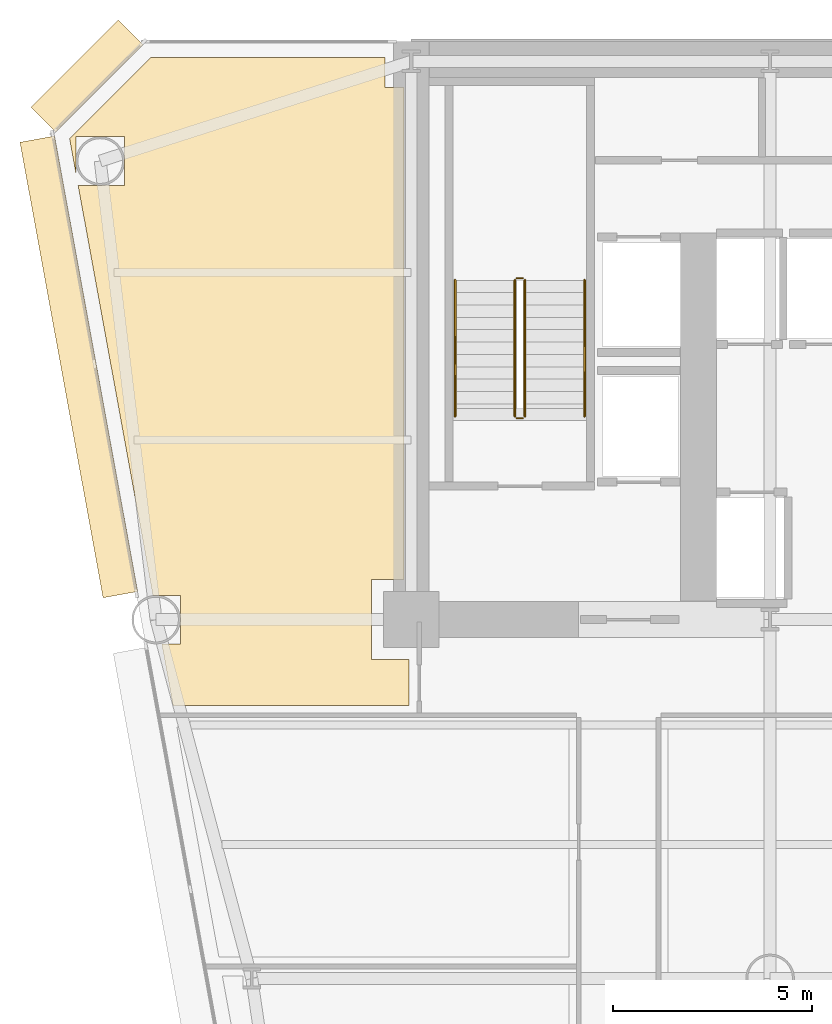
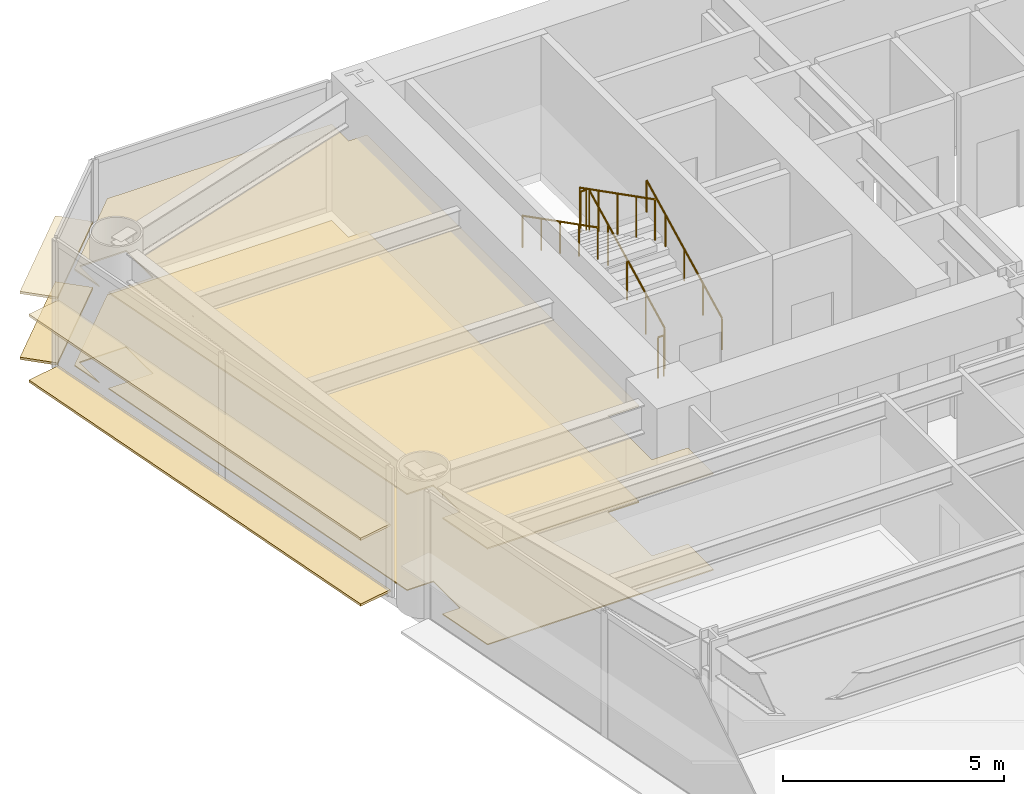
# One storey, part 12 of 14: 6 coverings, 6 railings.
"""IFC4 building model written with IfcOpenShell, lengths in metres."""

from ifc_helpers import new_model, si_unit, direction, frame, origin, origin_2d, place, context, subcontext, project, spatial, polyline, rectangle, circle, outline, extrude, source, transform, mapped, material, layer, layer_set, type_object, element, save


model = new_model("IFC4")

# Units and contexts
model_context = context("Model", 3, precision=1e-05, world=origin(), true_north=direction((0.0, 1.0)))
body_context = subcontext(model_context, "Body", "Model", "MODEL_VIEW")
ifc_project = project(units=[si_unit("LENGTHUNIT", "METRE"), si_unit("AREAUNIT", "SQUARE_METRE"), si_unit("VOLUMEUNIT", "CUBIC_METRE"), si_unit("PLANEANGLEUNIT", "RADIAN"), si_unit("MASSUNIT", "GRAM", prefix="KILO")], contexts=[model_context])

# Site, building, storey
site_placement = place(None, origin())
site = spatial("IfcSite", under=ifc_project, at=site_placement, CompositionType="ELEMENT")
building_placement = place(site_placement, origin())
building = spatial("IfcBuilding", under=site, at=building_placement, Name="Vaeldorn Concourse Tower", CompositionType="ELEMENT")
storey_placement = place(building_placement, frame((0.0, 0.0, 64.39990234375)))
storey = spatial("IfcBuildingStorey", under=building, at=storey_placement, Name="L16", CompositionType="ELEMENT", Elevation=64.39990234375)

# Coverings
ifc_material_1 = material(Name="Acoustic Mineral Fibre Board", Category="gypsum")
ifc_layer_1 = layer(ifc_material_1, 0.0400390625)
ifc_layer_set_1 = layer_set([ifc_layer_1], Name="Acoustic Mineral Fibre Board")
covering_type_1 = type_object("IfcCoveringType", Name="COV-CEIL-ACOUSTIC", PredefinedType="CEILING", material=ifc_layer_set_1)
covering_1_placement = place(storey_placement, frame((0.0, 0.0, 2.650146484375)))
element("IfcCovering", 1, at=covering_1_placement, inside=storey, type_object=covering_type_1, Name="Suspended Acoustic Ceiling L16-4", PredefinedType="CEILING", context=body_context, shape_type="SweptSolid", body=[
    extrude(outline(polyline([(7.4658203125, 50.60009765625), (13.340087890625, 50.60009765625), (13.340087890625, 49.840087890625), (13.820068359375, 49.840087890625), (13.820068359375, 37.5), (13.0, 37.5), (13.0, 35.5), (13.93994140625, 35.5), (13.93994140625, 34.340087890625), (8.0263671875, 34.340087890625), (7.781982421875, 35.679931640625), (7.781982421875, 35.679931640625), (7.743408203125, 35.890380859375), (8.20947265625, 35.890380859375), (8.20947265625, 37.109619140625), (7.52099609375, 37.109619140625), (5.6455078125, 47.390380859375), (6.8095703125, 47.390380859375), (6.8095703125, 48.609619140625), (5.590576171875, 48.609619140625), (5.590576171875, 47.69189453125), (5.43115234375, 48.5654296875), (7.4658203125, 50.60009765625)])), origin(), (0.0, 0.0, 1.0), 0.0400390625),
])
ifc_material_2 = material(Name="Honed Limestone Terrazzo Flooring", Category="masonry")
ifc_layer_2 = layer(ifc_material_2, 0.0400390625)
ifc_layer_set_2 = layer_set([ifc_layer_2], Name="Honed Limestone Terrazzo Flooring")
covering_type_2 = type_object("IfcCoveringType", Name="COV-FLOOR-STONE", PredefinedType="FLOORING", material=ifc_layer_set_2)
covering_2_placement = place(storey_placement, origin())
element("IfcCovering", 2, at=covering_2_placement, inside=storey, type_object=covering_type_2, Name="Floor Finish Covering L16-4", PredefinedType="FLOORING", context=body_context, shape_type="SweptSolid", body=[
    extrude(outline(polyline([(7.4658203125, 50.60009765625), (13.340087890625, 50.60009765625), (13.340087890625, 49.840087890625), (13.820068359375, 49.840087890625), (13.820068359375, 37.5), (13.0, 37.5), (13.0, 35.5), (13.93994140625, 35.5), (13.93994140625, 34.340087890625), (8.0263671875, 34.340087890625), (7.781982421875, 35.679931640625), (7.781982421875, 35.679931640625), (7.743408203125, 35.890380859375), (8.20947265625, 35.890380859375), (8.20947265625, 37.109619140625), (7.52099609375, 37.109619140625), (5.6455078125, 47.390380859375), (6.8095703125, 47.390380859375), (6.8095703125, 48.609619140625), (5.590576171875, 48.609619140625), (5.590576171875, 47.69189453125), (5.43115234375, 48.5654296875), (7.4658203125, 50.60009765625)])), origin(), (0.0, 0.0, 1.0), 0.030029296875),
])

# Railings
ifc_material_3 = material(Name="Anodised Bronze Aluminium", Category="aluminium")
railing_type_1 = type_object("IfcRailingType", Name="RL-STAIR-GUARD", PredefinedType="GUARDRAIL", material=ifc_material_3)
railing_1_placement = place(storey_placement, frame((16.85009765625, 41.60009765625, 0.158447265625)))
element("IfcRailing", 3, at=railing_1_placement, inside=storey, type_object=railing_type_1, Name="L16 ST-1 stair guard 1", PredefinedType="GUARDRAIL", context=body_context, shape_type="SweptSolid", body=[
    extrude(circle(Radius=0.02392578125, at=origin_2d()), frame((0.0, 0.0, 1.1259765625), z_axis=(0.0, 0.890555807335, 0.454873997962), x_axis=(-1.0, 0.0, 0.0)), (0.0, 0.0, 1.0), 3.828857421875),
    extrude(circle(Radius=0.02099609375, at=origin_2d()), origin(), (0.0, 0.0, 1.0), 1.101806640625),
    extrude(circle(Radius=0.02099609375, at=origin_2d()), frame((0.0, 0.8525390625, 0.435546875)), (0.0, 0.0, 1.0), 1.101806640625),
    extrude(circle(Radius=0.02099609375, at=origin_2d()), frame((0.0, 1.705078125, 0.870849609375)), (0.0, 0.0, 1.0), 1.101806640625),
    extrude(circle(Radius=0.02099609375, at=origin_2d()), frame((0.0, 2.557373046875, 1.30615234375)), (0.0, 0.0, 1.0), 1.101806640625),
    extrude(circle(Radius=0.02099609375, at=origin_2d()), frame((0.0, 3.409912109375, 1.74169921875)), (0.0, 0.0, 1.0), 1.101806640625),
])
railing_2_placement = place(storey_placement, frame((16.800048828125, 45.06005859375, 1.900146484375)))
element("IfcRailing", 4, at=railing_2_placement, inside=storey, type_object=railing_type_1, Name="L16 ST-1 stair guard 2", PredefinedType="GUARDRAIL", context=body_context, shape_type="SweptSolid", body=[
    extrude(circle(Radius=0.02392578125, at=origin_2d()), frame((0.0, 0.0, 1.1259765625), z_axis=(-1.0, 0.0, 0.0), x_axis=(0.0, -1.0, 0.0)), (0.0, 0.0, 1.0), 0.150146484375),
    extrude(circle(Radius=0.02099609375, at=origin_2d()), origin(), (0.0, 0.0, 1.0), 1.101806640625),
    extrude(circle(Radius=0.02099609375, at=origin_2d()), frame((-0.150146484375, 0.0, 0.0)), (0.0, 0.0, 1.0), 1.101806640625),
])
railing_3_placement = place(storey_placement, frame((16.60009765625, 45.010009765625, 2.058349609375)))
element("IfcRailing", 5, at=railing_3_placement, inside=storey, type_object=railing_type_1, Name="L16 ST-1 stair guard 3", PredefinedType="GUARDRAIL", context=body_context, shape_type="SweptSolid", body=[
    extrude(circle(Radius=0.02392578125, at=origin_2d()), frame((0.0, 0.0, 1.1259765625), z_axis=(0.0, -0.890555807335, 0.454873997962), x_axis=(1.0, 0.0, 0.0)), (0.0, 0.0, 1.0), 3.828857421875),
    extrude(circle(Radius=0.02099609375, at=origin_2d()), origin(), (0.0, 0.0, 1.0), 1.101806640625),
    extrude(circle(Radius=0.02099609375, at=origin_2d()), frame((0.0, -0.8525390625, 0.435546875)), (0.0, 0.0, 1.0), 1.101806640625),
    extrude(circle(Radius=0.02099609375, at=origin_2d()), frame((0.0, -1.705078125, 0.870849609375)), (0.0, 0.0, 1.0), 1.101806640625),
    extrude(circle(Radius=0.02099609375, at=origin_2d()), frame((0.0, -2.557373046875, 1.30615234375)), (0.0, 0.0, 1.0), 1.101806640625),
    extrude(circle(Radius=0.02099609375, at=origin_2d()), frame((0.0, -3.409912109375, 1.74169921875)), (0.0, 0.0, 1.0), 1.101806640625),
])
railing_4_placement = place(storey_placement, frame((16.800048828125, 41.550048828125, 0.0)))
element("IfcRailing", 6, at=railing_4_placement, inside=storey, type_object=railing_type_1, Name="L16 ST-1 stair guard 4", PredefinedType="GUARDRAIL", context=body_context, shape_type="SweptSolid", body=[
    extrude(circle(Radius=0.02392578125, at=origin_2d()), frame((0.0, 0.0, 1.1259765625), z_axis=(-1.0, 0.0, 0.0), x_axis=(0.0, -1.0, 0.0)), (0.0, 0.0, 1.0), 0.150146484375),
    extrude(circle(Radius=0.02099609375, at=origin_2d()), origin(), (0.0, 0.0, 1.0), 1.101806640625),
    extrude(circle(Radius=0.02099609375, at=origin_2d()), frame((-0.150146484375, 0.0, 0.0)), (0.0, 0.0, 1.0), 1.101806640625),
])
railing_type_2 = type_object("IfcRailingType", Name="RL-STAIR-HANDRAIL", PredefinedType="HANDRAIL", material=ifc_material_3)
railing_5_placement = place(storey_placement, frame((18.35009765625, 41.60009765625, 0.158447265625)))
element("IfcRailing", 7, at=railing_5_placement, inside=storey, type_object=railing_type_2, Name="L16 ST-1 stair handrail 1", PredefinedType="HANDRAIL", context=body_context, shape_type="SweptSolid", body=[
    extrude(circle(Radius=0.02392578125, at=origin_2d()), frame((0.0, 0.0, 0.8759765625), z_axis=(0.0, 0.890555807335, 0.454873997962), x_axis=(-1.0, 0.0, 0.0)), (0.0, 0.0, 1.0), 3.828857421875),
    extrude(circle(Radius=0.02099609375, at=origin_2d()), origin(), (0.0, 0.0, 1.0), 0.851806640625),
    extrude(circle(Radius=0.02099609375, at=origin_2d()), frame((0.0, 0.8525390625, 0.435546875)), (0.0, 0.0, 1.0), 0.851806640625),
    extrude(circle(Radius=0.02099609375, at=origin_2d()), frame((0.0, 1.705078125, 0.870849609375)), (0.0, 0.0, 1.0), 0.851806640625),
    extrude(circle(Radius=0.02099609375, at=origin_2d()), frame((0.0, 2.557373046875, 1.30615234375)), (0.0, 0.0, 1.0), 0.851806640625),
    extrude(circle(Radius=0.02099609375, at=origin_2d()), frame((0.0, 3.409912109375, 1.74169921875)), (0.0, 0.0, 1.0), 0.851806640625),
])
railing_6_placement = place(storey_placement, frame((15.10009765625, 45.010009765625, 2.058349609375)))
element("IfcRailing", 8, at=railing_6_placement, inside=storey, type_object=railing_type_2, Name="L16 ST-1 stair handrail 2", PredefinedType="HANDRAIL", context=body_context, shape_type="SweptSolid", body=[
    extrude(circle(Radius=0.02392578125, at=origin_2d()), frame((0.0, 0.0, 0.8759765625), z_axis=(0.0, -0.890555807335, 0.454873997962), x_axis=(1.0, 0.0, 0.0)), (0.0, 0.0, 1.0), 3.828857421875),
    extrude(circle(Radius=0.02099609375, at=origin_2d()), origin(), (0.0, 0.0, 1.0), 0.851806640625),
    extrude(circle(Radius=0.02099609375, at=origin_2d()), frame((0.0, -0.8525390625, 0.435546875)), (0.0, 0.0, 1.0), 0.851806640625),
    extrude(circle(Radius=0.02099609375, at=origin_2d()), frame((0.0, -1.705078125, 0.870849609375)), (0.0, 0.0, 1.0), 0.851806640625),
    extrude(circle(Radius=0.02099609375, at=origin_2d()), frame((0.0, -2.557373046875, 1.30615234375)), (0.0, 0.0, 1.0), 0.851806640625),
    extrude(circle(Radius=0.02099609375, at=origin_2d()), frame((0.0, -3.409912109375, 1.74169921875)), (0.0, 0.0, 1.0), 0.851806640625),
])

# Coverings
ifc_layer_3 = layer(ifc_material_3, 0.06494140625)
ifc_layer_set_3 = layer_set([ifc_layer_3], Name="Anodised Bronze Aluminium")
covering_type_3 = type_object("IfcCoveringType", Name="SD-BRONZE-SUNSHADE", PredefinedType="USERDEFINED", material=ifc_layer_set_3)
shared_shape_1 = source(origin(), body_context, "Body", "SweptSolid", [
    extrude(rectangle(XDim=3.0927734375, YDim=0.8798828125, at=origin_2d()), origin(), (0.0, 0.0, 1.0), 0.06494140625),
])
for number, where, z_axis, x_axis, name in (
    (9, (5.8671875, 50.1328125, 0.047607421875), (0.0, 0.0, 1.0), (-0.707106781187, -0.707106781187, 0.0), "Horizontal Bronze Sunshade L16-E10.1.1"),
    (10, (5.8671875, 50.1328125, 1.86767578125), (0.0, 0.0, 1.0), (-0.707106781187, -0.707106781187, 0.0), "Horizontal Bronze Sunshade L16-E10.1.2"),
):
    element("IfcCovering", number, at=place(storey_placement, frame(where, z_axis=z_axis, x_axis=x_axis)), inside=storey, type_object=covering_type_3, Name=name, ObjectType="SUNSHADE", PredefinedType="USERDEFINED", context=body_context, shape_type="MappedRepresentation", body=[
        mapped(shared_shape_1, transform((0.0, 0.0, 0.0), scale=1.0)),
    ])
shared_shape_2 = source(origin(), body_context, "Body", "SweptSolid", [
    extrude(rectangle(XDim=11.611572265625, YDim=0.8798828125, at=origin_2d()), origin(), (0.0, 0.0, 1.0), 0.06494140625),
])
for number, where, z_axis, x_axis, name in (
    (11, (5.662841796875, 42.837890625, 0.047607421875), (0.0, 0.0, 1.0), (0.179471882945, -0.983763103207, 0.0), "Horizontal Bronze Sunshade L16-E11.1.1"),
    (12, (5.662841796875, 42.837890625, 1.86767578125), (0.0, 0.0, 1.0), (0.179471882945, -0.983763103207, 0.0), "Horizontal Bronze Sunshade L16-E11.1.2"),
):
    element("IfcCovering", number, at=place(storey_placement, frame(where, z_axis=z_axis, x_axis=x_axis)), inside=storey, type_object=covering_type_3, Name=name, ObjectType="SUNSHADE", PredefinedType="USERDEFINED", context=body_context, shape_type="MappedRepresentation", body=[
        mapped(shared_shape_2, transform((0.0, 0.0, 0.0), scale=1.0)),
    ])

save(model, "model.ifc")
